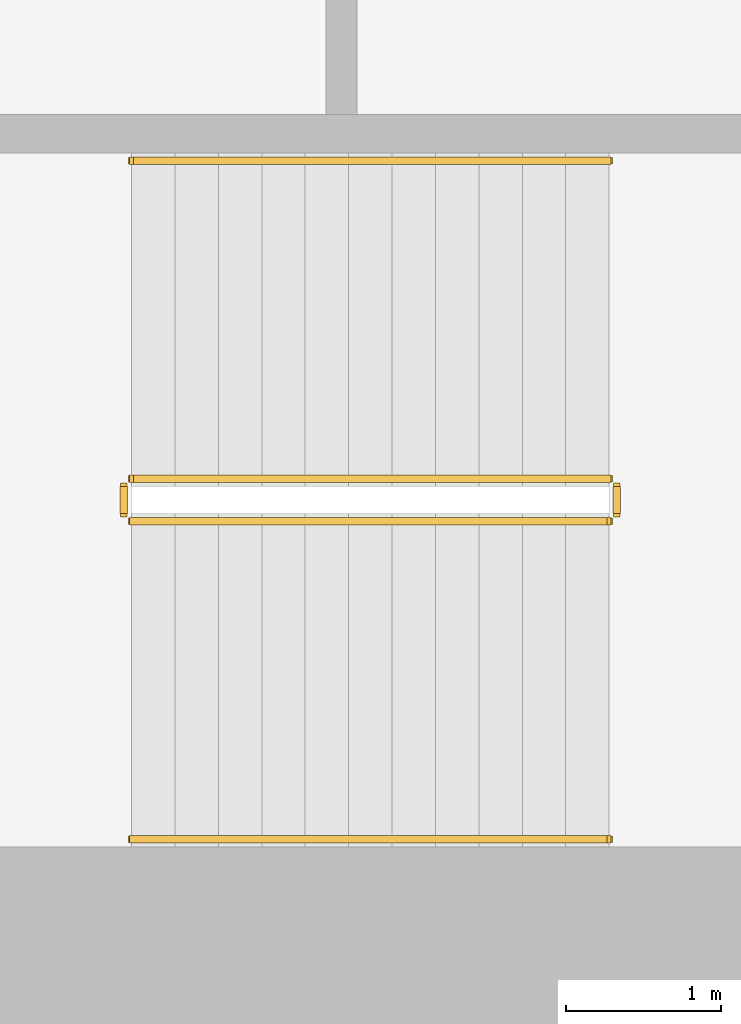
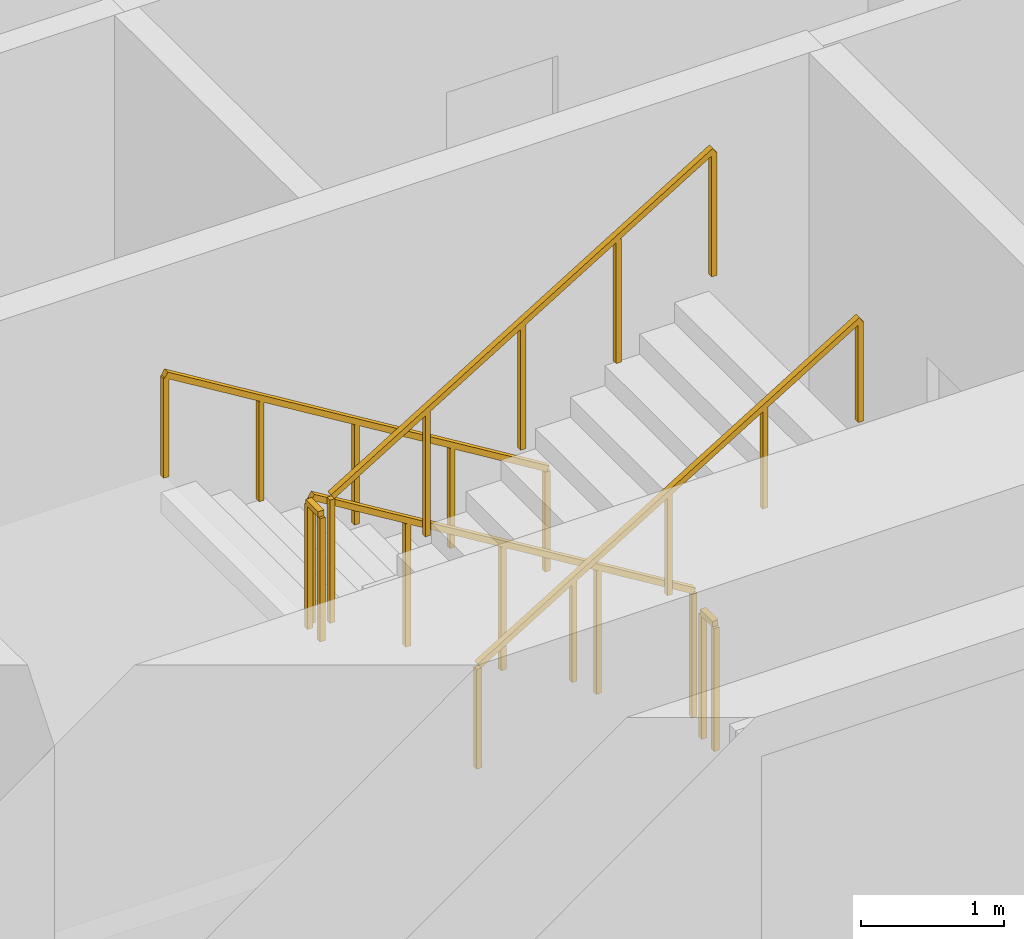
# One storey, part 9 of 14: 6 railings.
"""IFC4 building model written with IfcOpenShell, lengths in metres."""

from ifc_helpers import new_model, si_unit, direction, frame, origin, origin_2d, place, context, subcontext, project, spatial, rectangle, extrude, material, type_object, element, save


model = new_model("IFC4")

# Units and contexts
model_context = context("Model", 3, precision=1e-05, world=origin(), true_north=direction((0.0, 1.0)))
body_context = subcontext(model_context, "Body", "Model", "MODEL_VIEW")
ifc_project = project(units=[si_unit("LENGTHUNIT", "METRE"), si_unit("AREAUNIT", "SQUARE_METRE"), si_unit("VOLUMEUNIT", "CUBIC_METRE"), si_unit("PLANEANGLEUNIT", "RADIAN"), si_unit("MASSUNIT", "GRAM", prefix="KILO")], contexts=[model_context])

# Site, building, storey
site_placement = place(None, origin())
site = spatial("IfcSite", under=ifc_project, at=site_placement, CompositionType="ELEMENT")
building_placement = place(site_placement, origin())
building = spatial("IfcBuilding", under=site, at=building_placement, Name="Cypress Arch Tower", CompositionType="ELEMENT")
storey_placement = place(building_placement, frame((0.0, 0.0, 185.10009765625)))
storey = spatial("IfcBuildingStorey", under=building, at=storey_placement, Name="L40", CompositionType="ELEMENT", Elevation=185.10009765625)

# Railings
ifc_material_1 = material(Name="Black powder-coated steel square bar 48 mm", Category="steel")
railing_type_1 = type_object("IfcRailingType", Name="Stair handrail HR1", PredefinedType="HANDRAIL", material=ifc_material_1)
railing_1_placement = place(storey_placement, frame((-22.27490234375, -10.375, 0.170654296875)))
element("IfcRailing", 1, at=railing_1_placement, inside=storey, type_object=railing_type_1, Name="L40 A stair handrail 1", PredefinedType="HANDRAIL", context=body_context, shape_type="SweptSolid", body=[
    extrude(rectangle(XDim=0.048095703125, YDim=0.048095703125, at=origin_2d()), frame((0.0, 0.0, 0.8759765625), z_axis=(-0.853666305674, 0.0, 0.52082035152), x_axis=(0.0, -1.0, 0.0)), (0.0, 0.0, 1.0), 3.608154296875),
    extrude(rectangle(XDim=0.0419921875, YDim=0.0419921875, at=origin_2d()), origin(), (0.0, 0.0, 1.0), 0.851806640625),
    extrude(rectangle(XDim=0.0419921875, YDim=0.0419921875, at=origin_2d()), frame((-0.77001953125, 0.0, 0.4697265625)), (0.0, 0.0, 1.0), 0.851806640625),
    extrude(rectangle(XDim=0.0419921875, YDim=0.0419921875, at=origin_2d()), frame((-1.5400390625, 0.0, 0.939453125)), (0.0, 0.0, 1.0), 0.851806640625),
    extrude(rectangle(XDim=0.0419921875, YDim=0.0419921875, at=origin_2d()), frame((-2.31005859375, 0.0, 1.409423828125)), (0.0, 0.0, 1.0), 0.851806640625),
    extrude(rectangle(XDim=0.0419921875, YDim=0.0419921875, at=origin_2d()), frame((-3.080078125, 0.0, 1.879150390625)), (0.0, 0.0, 1.0), 0.851806640625),
])
railing_2_placement = place(storey_placement, frame((-25.35498046875, -14.75, 2.220703125)))
element("IfcRailing", 2, at=railing_2_placement, inside=storey, type_object=railing_type_1, Name="L40 A stair handrail 2", PredefinedType="HANDRAIL", context=body_context, shape_type="SweptSolid", body=[
    extrude(rectangle(XDim=0.048095703125, YDim=0.048095703125, at=origin_2d()), frame((0.0, 0.0, 0.8759765625), z_axis=(0.853666305674, 0.0, 0.52082035152), x_axis=(0.0, 1.0, 0.0)), (0.0, 0.0, 1.0), 3.608154296875),
    extrude(rectangle(XDim=0.0419921875, YDim=0.0419921875, at=origin_2d()), origin(), (0.0, 0.0, 1.0), 0.851806640625),
    extrude(rectangle(XDim=0.0419921875, YDim=0.0419921875, at=origin_2d()), frame((0.77001953125, 0.0, 0.4697265625)), (0.0, 0.0, 1.0), 0.851806640625),
    extrude(rectangle(XDim=0.0419921875, YDim=0.0419921875, at=origin_2d()), frame((1.5400390625, 0.0, 0.939453125)), (0.0, 0.0, 1.0), 0.851806640625),
    extrude(rectangle(XDim=0.0419921875, YDim=0.0419921875, at=origin_2d()), frame((2.31005859375, 0.0, 1.409423828125)), (0.0, 0.0, 1.0), 0.851806640625),
    extrude(rectangle(XDim=0.0419921875, YDim=0.0419921875, at=origin_2d()), frame((3.080078125, 0.0, 1.879150390625)), (0.0, 0.0, 1.0), 0.851806640625),
])
ifc_material_2 = material(Name="Black powder-coated steel balusters", Category="steel")
railing_type_2 = type_object("IfcRailingType", Name="Stair well guard G1", PredefinedType="GUARDRAIL", material=ifc_material_2)
railing_3_placement = place(storey_placement, frame((-22.27490234375, -12.425048828125, 0.170654296875)))
element("IfcRailing", 3, at=railing_3_placement, inside=storey, type_object=railing_type_2, Name="L40 A stair guard 1", PredefinedType="GUARDRAIL", context=body_context, shape_type="SweptSolid", body=[
    extrude(rectangle(XDim=0.048095703125, YDim=0.048095703125, at=origin_2d()), frame((0.0, 0.0, 1.076171875), z_axis=(-0.853666305674, 0.0, 0.52082035152), x_axis=(0.0, -1.0, 0.0)), (0.0, 0.0, 1.0), 3.608154296875),
    extrude(rectangle(XDim=0.0419921875, YDim=0.0419921875, at=origin_2d()), origin(), (0.0, 0.0, 1.0), 1.052001953125),
    extrude(rectangle(XDim=0.0419921875, YDim=0.0419921875, at=origin_2d()), frame((-0.77001953125, 0.0, 0.4697265625)), (0.0, 0.0, 1.0), 1.052001953125),
    extrude(rectangle(XDim=0.0419921875, YDim=0.0419921875, at=origin_2d()), frame((-1.5400390625, 0.0, 0.939453125)), (0.0, 0.0, 1.0), 1.052001953125),
    extrude(rectangle(XDim=0.0419921875, YDim=0.0419921875, at=origin_2d()), frame((-2.31005859375, 0.0, 1.409423828125)), (0.0, 0.0, 1.0), 1.052001953125),
    extrude(rectangle(XDim=0.0419921875, YDim=0.0419921875, at=origin_2d()), frame((-3.080078125, 0.0, 1.879150390625)), (0.0, 0.0, 1.0), 1.052001953125),
])
railing_4_placement = place(storey_placement, frame((-25.405029296875, -12.47509765625, 2.0498046875)))
element("IfcRailing", 4, at=railing_4_placement, inside=storey, type_object=railing_type_2, Name="L40 A stair guard 2", PredefinedType="GUARDRAIL", context=body_context, shape_type="SweptSolid", body=[
    extrude(rectangle(XDim=0.048095703125, YDim=0.048095703125, at=origin_2d()), frame((0.0, 0.0, 1.076171875), z_axis=(0.0, -1.0, 0.0), x_axis=(1.0, 0.0, 0.0)), (0.0, 0.0, 1.0), 0.1748046875),
    extrude(rectangle(XDim=0.0419921875, YDim=0.0419921875, at=origin_2d()), origin(), (0.0, 0.0, 1.0), 1.052001953125),
    extrude(rectangle(XDim=0.0419921875, YDim=0.0419921875, at=origin_2d()), frame((0.0, -0.1748046875, 0.0)), (0.0, 0.0, 1.0), 1.052001953125),
])
railing_5_placement = place(storey_placement, frame((-25.35498046875, -12.699951171875, 2.220703125)))
element("IfcRailing", 5, at=railing_5_placement, inside=storey, type_object=railing_type_2, Name="L40 A stair guard 3", PredefinedType="GUARDRAIL", context=body_context, shape_type="SweptSolid", body=[
    extrude(rectangle(XDim=0.048095703125, YDim=0.048095703125, at=origin_2d()), frame((0.0, 0.0, 1.076171875), z_axis=(0.853666305674, 0.0, 0.52082035152), x_axis=(0.0, 1.0, 0.0)), (0.0, 0.0, 1.0), 3.608154296875),
    extrude(rectangle(XDim=0.0419921875, YDim=0.0419921875, at=origin_2d()), origin(), (0.0, 0.0, 1.0), 1.052001953125),
    extrude(rectangle(XDim=0.0419921875, YDim=0.0419921875, at=origin_2d()), frame((0.77001953125, 0.0, 0.4697265625)), (0.0, 0.0, 1.0), 1.052001953125),
    extrude(rectangle(XDim=0.0419921875, YDim=0.0419921875, at=origin_2d()), frame((1.5400390625, 0.0, 0.939453125)), (0.0, 0.0, 1.0), 1.052001953125),
    extrude(rectangle(XDim=0.0419921875, YDim=0.0419921875, at=origin_2d()), frame((2.31005859375, 0.0, 1.409423828125)), (0.0, 0.0, 1.0), 1.052001953125),
    extrude(rectangle(XDim=0.0419921875, YDim=0.0419921875, at=origin_2d()), frame((3.080078125, 0.0, 1.879150390625)), (0.0, 0.0, 1.0), 1.052001953125),
])
railing_6_placement = place(storey_placement, frame((-22.22509765625, -12.47509765625, 0.0)))
element("IfcRailing", 6, at=railing_6_placement, inside=storey, type_object=railing_type_2, Name="L40 A stair guard 4", PredefinedType="GUARDRAIL", context=body_context, shape_type="SweptSolid", body=[
    extrude(rectangle(XDim=0.048095703125, YDim=0.048095703125, at=origin_2d()), frame((0.0, 0.0, 1.076171875), z_axis=(0.0, -1.0, 0.0), x_axis=(1.0, 0.0, 0.0)), (0.0, 0.0, 1.0), 0.1748046875),
    extrude(rectangle(XDim=0.0419921875, YDim=0.0419921875, at=origin_2d()), origin(), (0.0, 0.0, 1.0), 1.052001953125),
    extrude(rectangle(XDim=0.0419921875, YDim=0.0419921875, at=origin_2d()), frame((0.0, -0.1748046875, 0.0)), (0.0, 0.0, 1.0), 1.052001953125),
])

save(model, "model.ifc")
